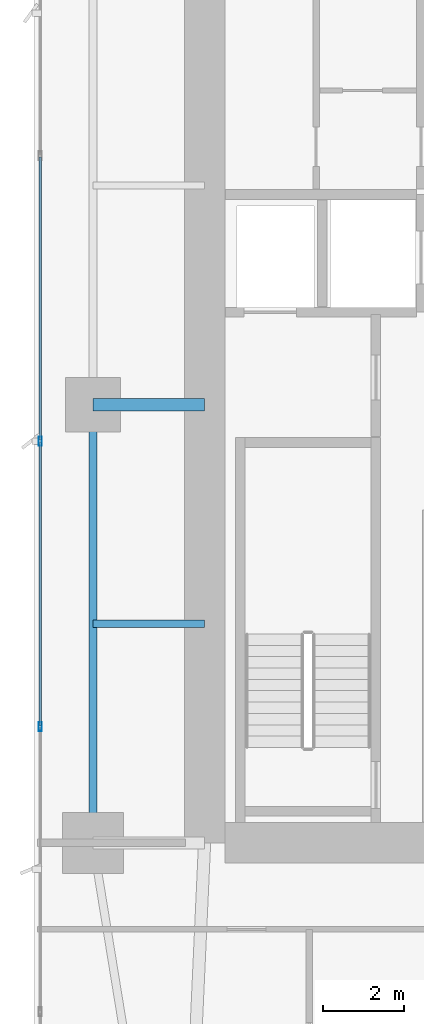
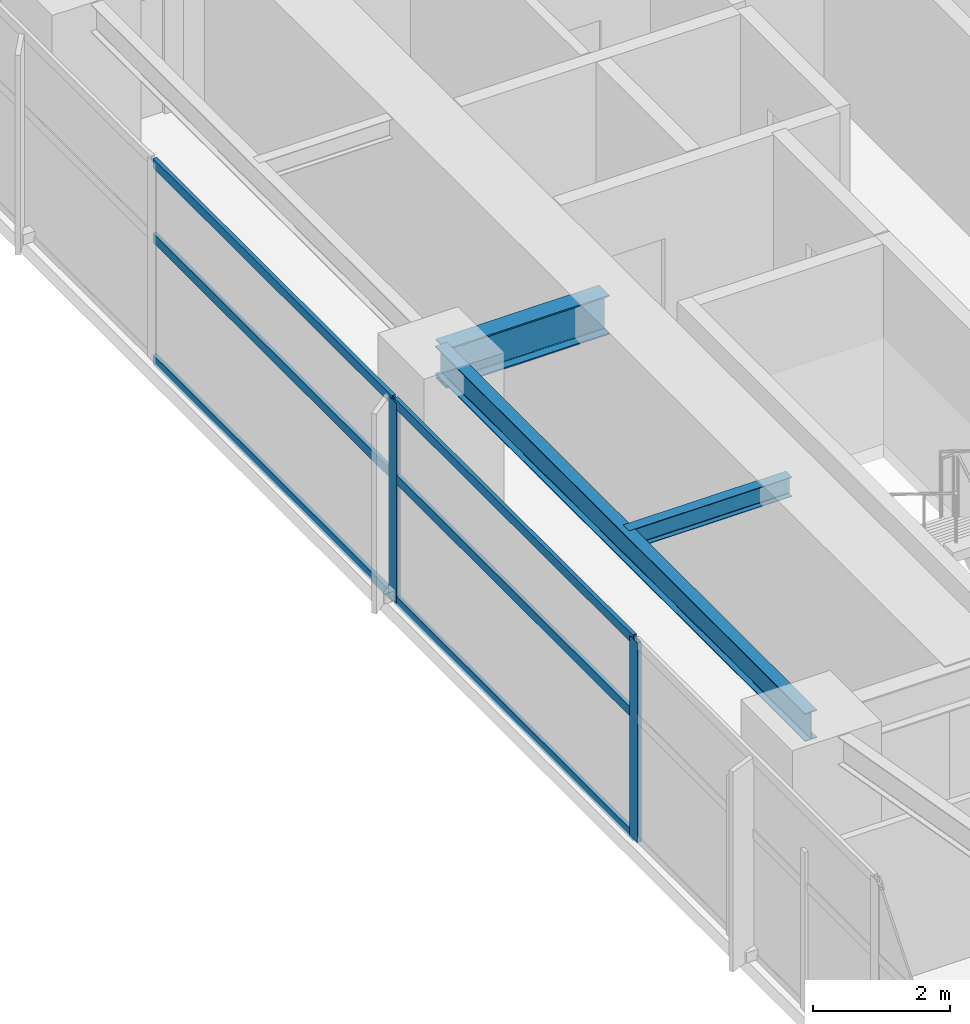
# One storey, part 8 of 30: 8 members, 3 beams, 1 element without a shape of its own.
"""IFC4 building model written with IfcOpenShell, lengths in metres."""

from ifc_helpers import new_model, si_unit, direction, frame, origin, origin_2d, place, context, subcontext, project, spatial, hollow_rectangle, i_section, extrude, material, layer, layer_set, material_profile, profile_set, type_object, element, aggregate, save


model = new_model("IFC4")

# Units and contexts
model_context = context("Model", 3, precision=1e-05, world=origin(), true_north=direction((0.0, 1.0)))
body_context = subcontext(model_context, "Body", "Model", "MODEL_VIEW")
ifc_project = project(units=[si_unit("LENGTHUNIT", "METRE"), si_unit("AREAUNIT", "SQUARE_METRE"), si_unit("VOLUMEUNIT", "CUBIC_METRE"), si_unit("PLANEANGLEUNIT", "RADIAN"), si_unit("MASSUNIT", "GRAM", prefix="KILO")], contexts=[model_context])

# Site, building, storey
site_placement = place(None, origin())
site = spatial("IfcSite", under=ifc_project, at=site_placement, CompositionType="ELEMENT")
building_placement = place(site_placement, origin())
building = spatial("IfcBuilding", under=site, at=building_placement, Name="Calvorn Quay Hotel", CompositionType="ELEMENT")
storey_placement = place(building_placement, frame((0.0, 0.0, 27.0)))
storey = spatial("IfcBuildingStorey", under=building, at=storey_placement, Name="L05", CompositionType="ELEMENT", Elevation=27.0)

# Beams
ifc_material_1 = material(Name="Steel Q390GJC", Category="steel")
ifc_material_profile_1 = material_profile(ifc_material_1, i_section(OverallWidth=0.300048828125, OverallDepth=0.699951171875, WebThickness=0.012939453125, FlangeThickness=0.02392578125, FilletRadius=0.02392578125, at=origin_2d()), Name="HN700x300x13x24")
ifc_profile_set_1 = profile_set([ifc_material_profile_1], Name="Steel Q390GJC")
beam_type_1 = type_object("IfcBeamType", Name="BM-GIRD-MAIN", PredefinedType="BEAM", material=ifc_profile_set_1)
beam_1_placement = place(storey_placement, frame((1.449951171875, 27.60009765625, 3.18994140625), z_axis=(1.0, 0.0, 0.0), x_axis=(0.0, 1.0, 0.0)))
element("IfcBeam", 1, at=beam_1_placement, inside=storey, type_object=beam_type_1, Name="Beam BG-L05-W2", PredefinedType="BEAM", context=body_context, shape_type="SweptSolid", body=[
    extrude(i_section(OverallWidth=0.300048828125, OverallDepth=0.699951171875, WebThickness=0.012939453125, FlangeThickness=0.02392578125, FilletRadius=0.02392578125, at=origin_2d()), origin(), (0.0, 0.0, 1.0), 2.75),
])
ifc_material_2 = material(Name="Steel Q355B", Category="steel")
ifc_material_profile_2 = material_profile(ifc_material_2, i_section(OverallWidth=0.175048828125, OverallDepth=0.35009765625, WebThickness=0.007080078125, FlangeThickness=0.010986328125, FilletRadius=0.013916015625, at=origin_2d()), Name="HN350x175x7x11")
ifc_profile_set_2 = profile_set([ifc_material_profile_2], Name="Steel Q355B")
beam_type_2 = type_object("IfcBeamType", Name="BM-JOIST-SEC", PredefinedType="JOIST", material=ifc_profile_set_2)
beam_2_placement = place(storey_placement, frame((1.449951171875, 22.199951171875, 3.364990234375), z_axis=(1.0, 0.0, 0.0), x_axis=(0.0, 1.0, 0.0)))
element("IfcBeam", 2, at=beam_2_placement, inside=storey, type_object=beam_type_2, Name="Beam BJ-L05-W3", PredefinedType="JOIST", context=body_context, shape_type="SweptSolid", body=[
    extrude(i_section(OverallWidth=0.175048828125, OverallDepth=0.35009765625, WebThickness=0.007080078125, FlangeThickness=0.010986328125, FilletRadius=0.013916015625, at=origin_2d()), origin(), (0.0, 0.0, 1.0), 2.75),
])
ifc_material_3 = material(Name="Steel Q355B", Category="steel")
ifc_material_profile_3 = material_profile(ifc_material_3, i_section(OverallWidth=0.199951171875, OverallDepth=0.5, WebThickness=0.010009765625, FlangeThickness=0.01611328125, FilletRadius=0.01611328125, at=origin_2d()), Name="HN500x200x10x16")
ifc_profile_set_3 = profile_set([ifc_material_profile_3], Name="Steel Q355B")
beam_type_3 = type_object("IfcBeamType", Name="BM-SPANDREL-Z1", PredefinedType="SPANDREL", material=ifc_profile_set_3)
beam_3_placement = place(storey_placement, frame((1.449951171875, 16.800048828125, 3.2900390625), z_axis=(0.0, 1.0, 0.0), x_axis=(-1.0, 0.0, 0.0)))
element("IfcBeam", 3, at=beam_3_placement, inside=storey, type_object=beam_type_3, Name="Beam BSP-L05-W2", PredefinedType="SPANDREL", context=body_context, shape_type="SweptSolid", body=[
    extrude(i_section(OverallWidth=0.199951171875, OverallDepth=0.5, WebThickness=0.010009765625, FlangeThickness=0.01611328125, FilletRadius=0.01611328125, at=origin_2d()), origin(), (0.0, 0.0, 1.0), 10.800048828125),
])

# Curtain wall, members
ifc_material_4 = material(Name="Pale Anodised Aluminium and Low-E Glass", Category="aluminium")
ifc_layer = layer(ifc_material_4, 0.219970703125)
ifc_layer_set = layer_set([ifc_layer], Name="CW-SYS-Z1")
curtain_wall_type = type_object("IfcCurtainWallType", Name="CW-SYS-Z1", PredefinedType="NOTDEFINED", material=ifc_layer_set)
curtain_wall_placement = place(storey_placement, origin())
curtain_wall = element("IfcCurtainWall", 4, at=curtain_wall_placement, inside=storey, type_object=curtain_wall_type, Name="Tower West Curtain Wall (L05)", PredefinedType="NOTDEFINED")
ifc_material_5 = material(Name="Pale Anodised Aluminium 6063-T6", Category="aluminium")
ifc_material_profile_4 = material_profile(ifc_material_5, hollow_rectangle(XDim=0.074951171875, YDim=0.219970703125, WallThickness=0.00439453125, at=origin_2d()), Name="ALU-M220x75x4.5")
ifc_profile_set_4 = profile_set([ifc_material_profile_4], Name="Pale Anodised Aluminium 6063-T6")
member_type_1 = type_object("IfcMemberType", Name="CW-SYS-Z1-MUL", PredefinedType="MULLION", material=ifc_profile_set_4)
member_1_placement = place(storey_placement, frame((0.14990234375, 19.666748046875, 0.0), z_axis=(0.0, 0.0, 1.0), x_axis=(-1.0, 0.0, 0.0)))
member_1 = element("IfcMember", 5, at=member_1_placement, type_object=member_type_1, Name="CW-L05-W mullion 3", PredefinedType="MULLION", context=body_context, shape_type="SweptSolid", body=[
    extrude(hollow_rectangle(XDim=0.074951171875, YDim=0.219970703125, WallThickness=0.00439453125, at=origin_2d()), origin(), (0.0, 0.0, 1.0), 3.56005859375),
])
member_2_placement = place(storey_placement, frame((0.14990234375, 26.699951171875, 0.0), z_axis=(0.0, 0.0, 1.0), x_axis=(-1.0, 0.0, 0.0)))
member_2 = element("IfcMember", 6, at=member_2_placement, type_object=member_type_1, Name="CW-L05-W mullion 4", PredefinedType="MULLION", context=body_context, shape_type="SweptSolid", body=[
    extrude(hollow_rectangle(XDim=0.074951171875, YDim=0.219970703125, WallThickness=0.00439453125, at=origin_2d()), origin(), (0.0, 0.0, 1.0), 3.56005859375),
])
ifc_material_6 = material(Name="Pale Anodised Aluminium 6063-T6", Category="aluminium")
ifc_material_profile_5 = material_profile(ifc_material_6, hollow_rectangle(XDim=0.06494140625, YDim=0.1650390625, WallThickness=0.00341796875, at=origin_2d()), Name="ALU-T165x65x3.5")
ifc_profile_set_5 = profile_set([ifc_material_profile_5], Name="Pale Anodised Aluminium 6063-T6")
member_type_2 = type_object("IfcMemberType", Name="CW-SYS-Z1-TRN", PredefinedType="USERDEFINED", material=ifc_profile_set_5)
member_3_placement = place(storey_placement, frame((0.14990234375, 19.69677734375, 0.030029296875), z_axis=(0.0, 1.0, 0.0), x_axis=(-1.0, 0.0, 0.0)))
member_3 = element("IfcMember", 7, at=member_3_placement, type_object=member_type_2, Name="CW-L05-W transom 3.1", ObjectType="TRANSOM", PredefinedType="USERDEFINED", context=body_context, shape_type="SweptSolid", body=[
    extrude(hollow_rectangle(XDim=0.06494140625, YDim=0.1650390625, WallThickness=0.00341796875, at=origin_2d()), origin(), (0.0, 0.0, 1.0), 6.97314453125),
])
member_4_placement = place(storey_placement, frame((0.14990234375, 19.69677734375, 2.199951171875), z_axis=(0.0, 1.0, 0.0), x_axis=(-1.0, 0.0, 0.0)))
member_4 = element("IfcMember", 8, at=member_4_placement, type_object=member_type_2, Name="CW-L05-W transom 3.2", ObjectType="TRANSOM", PredefinedType="USERDEFINED", context=body_context, shape_type="SweptSolid", body=[
    extrude(hollow_rectangle(XDim=0.06494140625, YDim=0.1650390625, WallThickness=0.00341796875, at=origin_2d()), origin(), (0.0, 0.0, 1.0), 6.97314453125),
])
member_5_placement = place(storey_placement, frame((0.14990234375, 19.69677734375, 3.530029296875), z_axis=(0.0, 1.0, 0.0), x_axis=(-1.0, 0.0, 0.0)))
member_5 = element("IfcMember", 9, at=member_5_placement, type_object=member_type_2, Name="CW-L05-W transom 3.3", ObjectType="TRANSOM", PredefinedType="USERDEFINED", context=body_context, shape_type="SweptSolid", body=[
    extrude(hollow_rectangle(XDim=0.06494140625, YDim=0.1650390625, WallThickness=0.00341796875, at=origin_2d()), origin(), (0.0, 0.0, 1.0), 6.97314453125),
])
member_6_placement = place(storey_placement, frame((0.14990234375, 26.72998046875, 0.030029296875), z_axis=(0.0, 1.0, 0.0), x_axis=(-1.0, 0.0, 0.0)))
member_6 = element("IfcMember", 10, at=member_6_placement, type_object=member_type_2, Name="CW-L05-W transom 4.1", ObjectType="TRANSOM", PredefinedType="USERDEFINED", context=body_context, shape_type="SweptSolid", body=[
    extrude(hollow_rectangle(XDim=0.06494140625, YDim=0.1650390625, WallThickness=0.00341796875, at=origin_2d()), origin(), (0.0, 0.0, 1.0), 6.973388671875),
])
member_7_placement = place(storey_placement, frame((0.14990234375, 26.72998046875, 2.199951171875), z_axis=(0.0, 1.0, 0.0), x_axis=(-1.0, 0.0, 0.0)))
member_7 = element("IfcMember", 11, at=member_7_placement, type_object=member_type_2, Name="CW-L05-W transom 4.2", ObjectType="TRANSOM", PredefinedType="USERDEFINED", context=body_context, shape_type="SweptSolid", body=[
    extrude(hollow_rectangle(XDim=0.06494140625, YDim=0.1650390625, WallThickness=0.00341796875, at=origin_2d()), origin(), (0.0, 0.0, 1.0), 6.973388671875),
])
member_8_placement = place(storey_placement, frame((0.14990234375, 26.72998046875, 3.530029296875), z_axis=(0.0, 1.0, 0.0), x_axis=(-1.0, 0.0, 0.0)))
member_8 = element("IfcMember", 12, at=member_8_placement, type_object=member_type_2, Name="CW-L05-W transom 4.3", ObjectType="TRANSOM", PredefinedType="USERDEFINED", context=body_context, shape_type="SweptSolid", body=[
    extrude(hollow_rectangle(XDim=0.06494140625, YDim=0.1650390625, WallThickness=0.00341796875, at=origin_2d()), origin(), (0.0, 0.0, 1.0), 6.973388671875),
])
aggregate(curtain_wall, [member_1, member_2, member_3, member_4, member_5, member_6, member_7, member_8])

save(model, "model.ifc")
